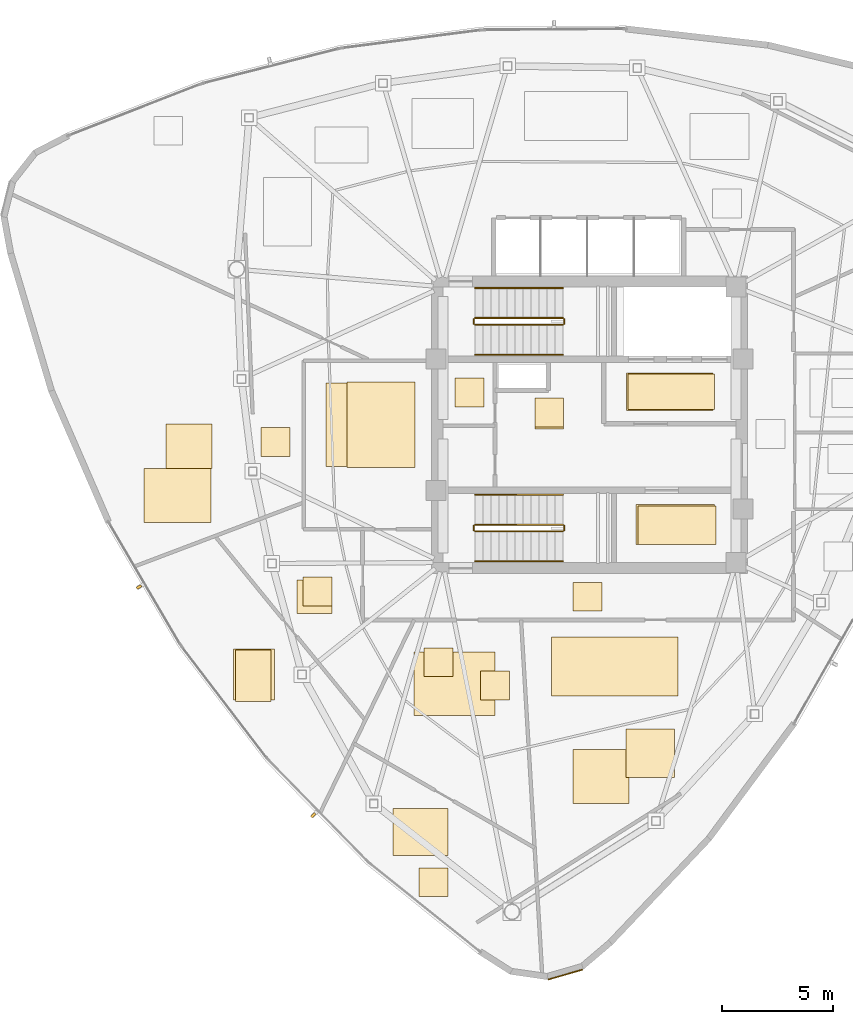
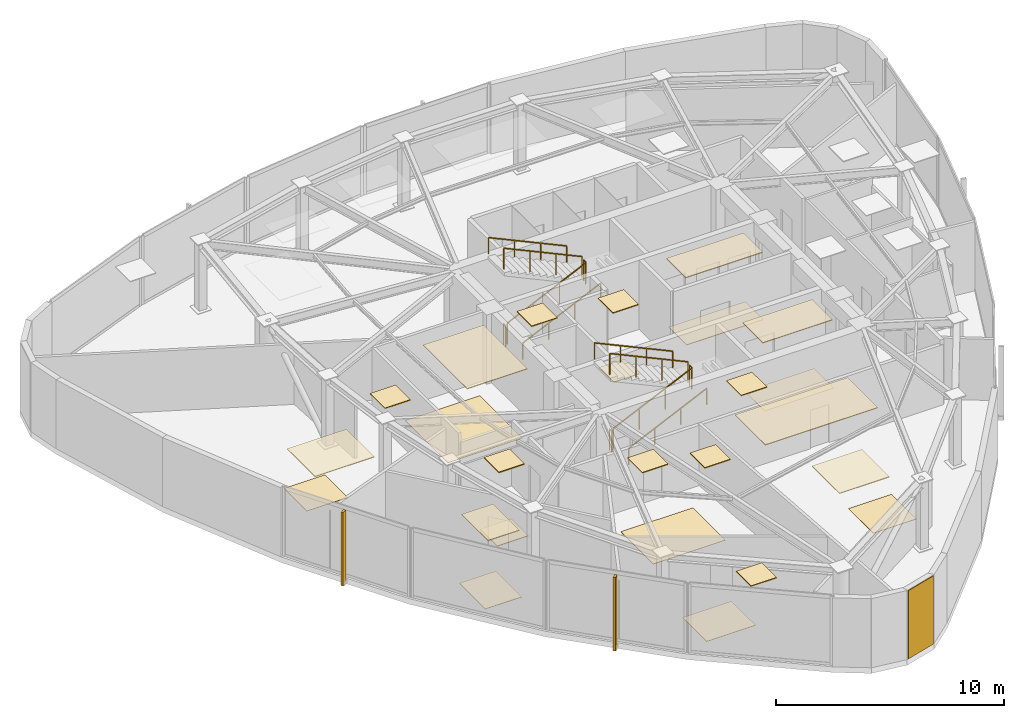
# One storey, part 10 of 11: 26 coverings, 12 railings, 2 shading devices.
"""IFC4 building model written with IfcOpenShell, lengths in metres."""

from ifc_helpers import new_model, si_unit, direction, frame, origin, origin_2d, place, context, subcontext, project, spatial, polyline, rectangle, outline, extrude, source, transform, mapped, material, layer, layer_set, type_object, type_shapes, element, save


model = new_model("IFC4")

# Units and contexts
model_context = context("Model", 3, precision=1e-05, world=origin(), true_north=direction((0.0, 1.0)))
body_context = subcontext(model_context, "Body", "Model", "MODEL_VIEW")
ifc_project = project(units=[si_unit("LENGTHUNIT", "METRE"), si_unit("AREAUNIT", "SQUARE_METRE"), si_unit("VOLUMEUNIT", "CUBIC_METRE"), si_unit("PLANEANGLEUNIT", "RADIAN"), si_unit("MASSUNIT", "GRAM", prefix="KILO")], contexts=[model_context])

# Site, building, storey
site_placement = place(None, origin())
site = spatial("IfcSite", under=ifc_project, at=site_placement, CompositionType="ELEMENT")
building_placement = place(site_placement, origin())
building = spatial("IfcBuilding", under=site, at=building_placement, Name="Tavelor Broadcast Tower", CompositionType="ELEMENT")
storey_placement = place(building_placement, frame((0.0, 0.0, 313.5)))
storey = spatial("IfcBuildingStorey", under=building, at=storey_placement, Name="L75", CompositionType="ELEMENT", Elevation=313.5)

# Coverings
ifc_material_1 = material(Name="Copper-Bronze Anodized Aluminium", Category="aluminium")
ifc_layer_1 = layer(ifc_material_1, 0.044921875)
ifc_layer_set_1 = layer_set([ifc_layer_1], Name="Copper-Bronze Anodized Aluminium")
covering_type_1 = type_object("IfcCoveringType", Name="Anodised Bronze Linear Slatted Concourse Ceiling 45 mm", PredefinedType="CEILING", material=ifc_layer_set_1)
covering_1_placement = place(storey_placement, frame((0.0, 0.0, 3.655029296875)))
element("IfcCovering", 1, at=covering_1_placement, inside=storey, type_object=covering_type_1, Name="L75 Suspended Acoustic Ceiling 2823", PredefinedType="CEILING", context=body_context, shape_type="SweptSolid", body=[
    extrude(outline(polyline([(51.659912109375, 45.6318359375), (55.55712890625, 45.6318359375), (55.55712890625, 47.328125), (51.659912109375, 47.328125), (51.659912109375, 45.6318359375)])), origin(), (0.0, 0.0, 1.0), 0.044921875),
])
covering_2_placement = place(storey_placement, frame((0.0, 0.0, 3.655029296875)))
element("IfcCovering", 2, at=covering_2_placement, inside=storey, type_object=covering_type_1, Name="L75 Suspended Acoustic Ceiling 2825", PredefinedType="CEILING", context=body_context, shape_type="SweptSolid", body=[
    extrude(outline(polyline([(47.5400390625, 44.89794921875), (48.840087890625, 44.89794921875), (48.840087890625, 46.197998046875), (47.5400390625, 46.197998046875), (47.5400390625, 44.89794921875)])), origin(), (0.0, 0.0, 1.0), 0.044921875),
])
ifc_layer_2 = layer(ifc_material_1, 0.050048828125)
ifc_layer_set_2 = layer_set([ifc_layer_2], Name="Copper-Bronze Anodized Aluminium")
covering_type_2 = type_object("IfcCoveringType", Name="Champagne-Bronze Corner Pier Metal Cladding 50 mm", PredefinedType="CLADDING", material=ifc_layer_set_2)
covering_3_placement = place(storey_placement, frame((48.918212890625, 20.26708984375, 0.02001953125), z_axis=(0.0, 0.0, 1.0), x_axis=(0.961020790978, 0.276476109834, 0.0)))
element("IfcCovering", 3, at=covering_3_placement, inside=storey, type_object=covering_type_2, Name="L75 Champagne-Bronze Corner Cladding 13", PredefinedType="CLADDING", context=body_context, shape_type="SweptSolid", body=[
    extrude(rectangle(XDim=1.59814453125, YDim=0.050048828125, at=origin_2d()), origin(), (0.0, 0.0, 1.0), 3.659912109375),
])

# Railings
ifc_material_2 = material(Name="Steel S355", Category="steel")
railing_type_1 = type_object("IfcRailingType", Name="Continuous Brushed Stainless Handrail 900 mm", PredefinedType="HANDRAIL", material=ifc_material_2)
railing_1_placement = place(storey_placement, frame((44.85009765625, 48.14990234375, 0.166748046875)))
element("IfcRailing", 4, at=railing_1_placement, inside=storey, type_object=railing_type_1, Name="L75 ST1 stair handrail 1", PredefinedType="HANDRAIL", context=body_context, shape_type="SweptSolid", body=[
    extrude(rectangle(XDim=0.048095703125, YDim=0.048095703125, at=origin_2d()), frame((0.0, 0.0, 0.8759765625), z_axis=(0.907472437036, 0.0, 0.420111623286), x_axis=(0.0, 1.0, 0.0)), (0.0, 0.0, 1.0), 4.36376953125),
    extrude(rectangle(XDim=0.0419921875, YDim=0.0419921875, at=origin_2d()), origin(), (0.0, 0.0, 1.0), 0.851806640625),
    extrude(rectangle(XDim=0.0419921875, YDim=0.0419921875, at=origin_2d()), frame((1.320068359375, 0.0, 0.611083984375)), (0.0, 0.0, 1.0), 0.851806640625),
    extrude(rectangle(XDim=0.0419921875, YDim=0.0419921875, at=origin_2d()), frame((2.639892578125, 0.0, 1.22216796875)), (0.0, 0.0, 1.0), 0.851806640625),
    extrude(rectangle(XDim=0.0419921875, YDim=0.0419921875, at=origin_2d()), frame((3.9599609375, 0.0, 1.833251953125)), (0.0, 0.0, 1.0), 0.851806640625),
])
railing_2_placement = place(storey_placement, frame((48.81005859375, 51.14990234375, 2.166748046875)))
element("IfcRailing", 5, at=railing_2_placement, inside=storey, type_object=railing_type_1, Name="L75 ST1 stair handrail 2", PredefinedType="HANDRAIL", context=body_context, shape_type="SweptSolid", body=[
    extrude(rectangle(XDim=0.048095703125, YDim=0.048095703125, at=origin_2d()), frame((0.0, 0.0, 0.8759765625), z_axis=(-0.907472437036, 0.0, 0.420111623286), x_axis=(0.0, -1.0, 0.0)), (0.0, 0.0, 1.0), 4.36376953125),
    extrude(rectangle(XDim=0.0419921875, YDim=0.0419921875, at=origin_2d()), origin(), (0.0, 0.0, 1.0), 0.851806640625),
    extrude(rectangle(XDim=0.0419921875, YDim=0.0419921875, at=origin_2d()), frame((-1.320068359375, 0.0, 0.611083984375)), (0.0, 0.0, 1.0), 0.851806640625),
    extrude(rectangle(XDim=0.0419921875, YDim=0.0419921875, at=origin_2d()), frame((-2.639892578125, 0.0, 1.22216796875)), (0.0, 0.0, 1.0), 0.851806640625),
    extrude(rectangle(XDim=0.0419921875, YDim=0.0419921875, at=origin_2d()), frame((-3.9599609375, 0.0, 1.833251953125)), (0.0, 0.0, 1.0), 0.851806640625),
])
railing_3_placement = place(storey_placement, frame((44.85009765625, 38.85009765625, 0.166748046875)))
element("IfcRailing", 6, at=railing_3_placement, inside=storey, type_object=railing_type_1, Name="L75 ST2 stair handrail 1", PredefinedType="HANDRAIL", context=body_context, shape_type="SweptSolid", body=[
    extrude(rectangle(XDim=0.048095703125, YDim=0.048095703125, at=origin_2d()), frame((0.0, 0.0, 0.8759765625), z_axis=(0.907472437036, 0.0, 0.420111623286), x_axis=(0.0, 1.0, 0.0)), (0.0, 0.0, 1.0), 4.36376953125),
    extrude(rectangle(XDim=0.0419921875, YDim=0.0419921875, at=origin_2d()), origin(), (0.0, 0.0, 1.0), 0.851806640625),
    extrude(rectangle(XDim=0.0419921875, YDim=0.0419921875, at=origin_2d()), frame((1.320068359375, 0.0, 0.611083984375)), (0.0, 0.0, 1.0), 0.851806640625),
    extrude(rectangle(XDim=0.0419921875, YDim=0.0419921875, at=origin_2d()), frame((2.639892578125, 0.0, 1.22216796875)), (0.0, 0.0, 1.0), 0.851806640625),
    extrude(rectangle(XDim=0.0419921875, YDim=0.0419921875, at=origin_2d()), frame((3.9599609375, 0.0, 1.833251953125)), (0.0, 0.0, 1.0), 0.851806640625),
])
railing_4_placement = place(storey_placement, frame((48.81005859375, 41.85009765625, 2.166748046875)))
element("IfcRailing", 7, at=railing_4_placement, inside=storey, type_object=railing_type_1, Name="L75 ST2 stair handrail 2", PredefinedType="HANDRAIL", context=body_context, shape_type="SweptSolid", body=[
    extrude(rectangle(XDim=0.048095703125, YDim=0.048095703125, at=origin_2d()), frame((0.0, 0.0, 0.8759765625), z_axis=(-0.907472437036, 0.0, 0.420111623286), x_axis=(0.0, -1.0, 0.0)), (0.0, 0.0, 1.0), 4.36376953125),
    extrude(rectangle(XDim=0.0419921875, YDim=0.0419921875, at=origin_2d()), origin(), (0.0, 0.0, 1.0), 0.851806640625),
    extrude(rectangle(XDim=0.0419921875, YDim=0.0419921875, at=origin_2d()), frame((-1.320068359375, 0.0, 0.611083984375)), (0.0, 0.0, 1.0), 0.851806640625),
    extrude(rectangle(XDim=0.0419921875, YDim=0.0419921875, at=origin_2d()), frame((-2.639892578125, 0.0, 1.22216796875)), (0.0, 0.0, 1.0), 0.851806640625),
    extrude(rectangle(XDim=0.0419921875, YDim=0.0419921875, at=origin_2d()), frame((-3.9599609375, 0.0, 1.833251953125)), (0.0, 0.0, 1.0), 0.851806640625),
])

# Coverings
ifc_material_3 = material(Name="Architectural Anodized Aluminium", Category="aluminium")
ifc_layer_3 = layer(ifc_material_3, 0.034912109375)
ifc_layer_set_3 = layer_set([ifc_layer_3], Name="Architectural Anodized Aluminium")
covering_type_3 = type_object("IfcCoveringType", Name="Demountable Metal Tile Corridor Ceiling 35 mm", PredefinedType="CEILING", material=ifc_layer_set_3)
covering_4_placement = place(storey_placement, frame((0.0, 0.0, 3.6650390625)))
element("IfcCovering", 8, at=covering_4_placement, inside=storey, type_object=covering_type_3, Name="L75 Suspended Acoustic Ceiling 2828", PredefinedType="CEILING", context=body_context, shape_type="SweptSolid", body=[
    extrude(outline(polyline([(49.261474609375, 36.610107421875), (50.5615234375, 36.610107421875), (50.5615234375, 37.909912109375), (49.261474609375, 37.909912109375), (49.261474609375, 36.610107421875)])), origin(), (0.0, 0.0, 1.0), 0.034912109375),
])
ifc_material_4 = material(Name="Acoustic Nylon Carpet Tile")
ifc_layer_4 = layer(ifc_material_4, 0.02001953125)
ifc_layer_set_4 = layer_set([ifc_layer_4], Name="Acoustic Nylon Carpet Tile")
covering_type_4 = type_object("IfcCoveringType", Name="Heavy-Duty Acoustic Broadcast Carpet Tile 20 mm", PredefinedType="FLOORING", material=ifc_layer_set_4)
covering_5_placement = place(storey_placement, origin())
element("IfcCovering", 9, at=covering_5_placement, inside=storey, type_object=covering_type_4, Name="L75 Broadcast Floor Finish 1112", PredefinedType="FLOORING", context=body_context, shape_type="SweptSolid", body=[
    extrude(outline(polyline([(52.176025390625, 39.611328125), (55.694091796875, 39.611328125), (55.694091796875, 41.341552734375), (52.176025390625, 41.341552734375), (52.176025390625, 39.611328125)])), origin(), (0.0, 0.0, 1.0), 0.02001953125),
])
covering_6_placement = place(storey_placement, origin())
element("IfcCovering", 10, at=covering_6_placement, inside=storey, type_object=covering_type_4, Name="L75 Broadcast Floor Finish 1115", PredefinedType="FLOORING", context=body_context, shape_type="SweptSolid", body=[
    extrude(outline(polyline([(38.15771484375, 43.12890625), (41.942138671875, 43.12890625), (41.942138671875, 46.87060546875), (38.15771484375, 46.87060546875), (38.15771484375, 43.12890625)])), origin(), (0.0, 0.0, 1.0), 0.02001953125),
])
covering_7_placement = place(storey_placement, origin())
element("IfcCovering", 11, at=covering_7_placement, inside=storey, type_object=covering_type_4, Name="L75 Broadcast Floor Finish 1119", PredefinedType="FLOORING", context=body_context, shape_type="SweptSolid", body=[
    extrude(outline(polyline([(51.633056640625, 29.121826171875), (53.819580078125, 29.121826171875), (53.819580078125, 31.30322265625), (51.633056640625, 31.30322265625), (51.633056640625, 29.121826171875)])), origin(), (0.0, 0.0, 1.0), 0.02001953125),
])
covering_8_placement = place(storey_placement, origin())
element("IfcCovering", 12, at=covering_8_placement, inside=storey, type_object=covering_type_4, Name="L75 Broadcast Floor Finish 1120", PredefinedType="FLOORING", context=body_context, shape_type="SweptSolid", body=[
    extrude(outline(polyline([(41.15673828125, 25.611328125), (43.64599609375, 25.611328125), (43.64599609375, 27.73681640625), (41.15673828125, 27.73681640625), (41.15673828125, 25.611328125)])), origin(), (0.0, 0.0, 1.0), 0.02001953125),
])
covering_9_placement = place(storey_placement, origin())
element("IfcCovering", 13, at=covering_9_placement, inside=storey, type_object=covering_type_4, Name="L75 Broadcast Floor Finish 1121", PredefinedType="FLOORING", context=body_context, shape_type="SweptSolid", body=[
    extrude(outline(polyline([(33.986328125, 32.618408203125), (35.837890625, 32.618408203125), (35.837890625, 34.900634765625), (33.986328125, 34.900634765625), (33.986328125, 32.618408203125)])), origin(), (0.0, 0.0, 1.0), 0.02001953125),
])
covering_10_placement = place(storey_placement, origin())
element("IfcCovering", 14, at=covering_10_placement, inside=storey, type_object=covering_type_4, Name="L75 Broadcast Floor Finish 1122", PredefinedType="FLOORING", context=body_context, shape_type="SweptSolid", body=[
    extrude(outline(polyline([(30.9501953125, 43.020263671875), (33.0234375, 43.020263671875), (33.0234375, 45.0283203125), (30.9501953125, 45.0283203125), (30.9501953125, 43.020263671875)])), origin(), (0.0, 0.0, 1.0), 0.02001953125),
])
covering_11_placement = place(storey_placement, origin())
element("IfcCovering", 15, at=covering_11_placement, inside=storey, type_object=covering_type_4, Name="L75 Broadcast Floor Finish 1124", PredefinedType="FLOORING", context=body_context, shape_type="SweptSolid", body=[
    extrude(outline(polyline([(42.09521484375, 31.910888671875), (45.747314453125, 31.910888671875), (45.747314453125, 34.77001953125), (42.09521484375, 34.77001953125), (42.09521484375, 31.910888671875)])), origin(), (0.0, 0.0, 1.0), 0.02001953125),
])
ifc_material_5 = material(Name="Honed Natural Limestone Tile", Category="masonry")
ifc_layer_5 = layer(ifc_material_5, 0.030029296875)
ifc_layer_set_5 = layer_set([ifc_layer_5], Name="Honed Natural Limestone Tile")
covering_type_5 = type_object("IfcCoveringType", Name="Honed Jerusalem Limestone Concourse Flooring 30 mm", PredefinedType="FLOORING", material=ifc_layer_set_5)
covering_12_placement = place(storey_placement, origin())
element("IfcCovering", 16, at=covering_12_placement, inside=storey, type_object=covering_type_5, Name="L75 Broadcast Floor Finish 1111", PredefinedType="FLOORING", context=body_context, shape_type="SweptSolid", body=[
    extrude(outline(polyline([(51.7373046875, 45.689453125), (55.62255859375, 45.689453125), (55.62255859375, 47.2705078125), (51.7373046875, 47.2705078125), (51.7373046875, 45.689453125)])), origin(), (0.0, 0.0, 1.0), 0.030029296875),
])
covering_13_placement = place(storey_placement, origin())
element("IfcCovering", 17, at=covering_13_placement, inside=storey, type_object=covering_type_5, Name="L75 Broadcast Floor Finish 1113", PredefinedType="FLOORING", context=body_context, shape_type="SweptSolid", body=[
    extrude(outline(polyline([(47.5400390625, 44.818115234375), (48.840087890625, 44.818115234375), (48.840087890625, 46.117919921875), (47.5400390625, 46.117919921875), (47.5400390625, 44.818115234375)])), origin(), (0.0, 0.0, 1.0), 0.030029296875),
])
ifc_material_6 = material(Name="Acoustic Hardwood Studio Flooring", Category="wood")
ifc_layer_6 = layer(ifc_material_6, 0.034912109375)
ifc_layer_set_6 = layer_set([ifc_layer_6], Name="Acoustic Hardwood Studio Flooring")
covering_type_6 = type_object("IfcCoveringType", Name="Isolated Studio Acoustic Elastomeric Floor Finish 35 mm", PredefinedType="FLOORING", material=ifc_layer_set_6)
covering_14_placement = place(storey_placement, origin())
element("IfcCovering", 18, at=covering_14_placement, inside=storey, type_object=covering_type_6, Name="L75 Broadcast Floor Finish 1123", PredefinedType="FLOORING", context=body_context, shape_type="SweptSolid", body=[
    extrude(outline(polyline([(36.83935546875, 36.51318359375), (38.42041015625, 36.51318359375), (38.42041015625, 38.016845703125), (36.83935546875, 38.016845703125), (36.83935546875, 36.51318359375)])), origin(), (0.0, 0.0, 1.0), 0.034912109375),
])
ifc_material_7 = material(Name="Acoustic Perforated Timber Baffle", Category="wood")
ifc_layer_7 = layer(ifc_material_7, 0.054931640625)
ifc_layer_set_7 = layer_set([ifc_layer_7], Name="Acoustic Perforated Timber Baffle")
covering_type_7 = type_object("IfcCoveringType", Name="Micro-Perforated Acoustic Baffle Studio Ceiling 55 mm", PredefinedType="CEILING", material=ifc_layer_set_7)
covering_15_placement = place(storey_placement, frame((0.0, 0.0, 3.64501953125)))
element("IfcCovering", 19, at=covering_15_placement, inside=storey, type_object=covering_type_7, Name="L75 Suspended Acoustic Ceiling 2847", PredefinedType="CEILING", context=body_context, shape_type="SweptSolid", body=[
    extrude(outline(polyline([(37.113525390625, 36.840087890625), (38.41357421875, 36.840087890625), (38.41357421875, 38.14013671875), (37.113525390625, 38.14013671875), (37.113525390625, 36.840087890625)])), origin(), (0.0, 0.0, 1.0), 0.054931640625),
])

# Railings
railing_type_2 = type_object("IfcRailingType", Name="Stairwell Steel Safety Guardrail 1150 mm", PredefinedType="GUARDRAIL", material=ifc_material_2)
railing_5_placement = place(storey_placement, frame((44.85009765625, 49.5, 0.166748046875)))
element("IfcRailing", 20, at=railing_5_placement, inside=storey, type_object=railing_type_2, Name="L75 ST1 stair guard 1", PredefinedType="GUARDRAIL", context=body_context, shape_type="SweptSolid", body=[
    extrude(rectangle(XDim=0.048095703125, YDim=0.048095703125, at=origin_2d()), frame((0.0, 0.0, 1.1259765625), z_axis=(0.907472437036, 0.0, 0.420111623286), x_axis=(0.0, 1.0, 0.0)), (0.0, 0.0, 1.0), 4.36376953125),
    extrude(rectangle(XDim=0.0419921875, YDim=0.0419921875, at=origin_2d()), origin(), (0.0, 0.0, 1.0), 1.101806640625),
    extrude(rectangle(XDim=0.0419921875, YDim=0.0419921875, at=origin_2d()), frame((1.320068359375, 0.0, 0.611083984375)), (0.0, 0.0, 1.0), 1.101806640625),
    extrude(rectangle(XDim=0.0419921875, YDim=0.0419921875, at=origin_2d()), frame((2.639892578125, 0.0, 1.22216796875)), (0.0, 0.0, 1.0), 1.101806640625),
    extrude(rectangle(XDim=0.0419921875, YDim=0.0419921875, at=origin_2d()), frame((3.9599609375, 0.0, 1.833251953125)), (0.0, 0.0, 1.0), 1.101806640625),
])
railing_6_placement = place(storey_placement, frame((48.860107421875, 49.550048828125, 2.0)))
element("IfcRailing", 21, at=railing_6_placement, inside=storey, type_object=railing_type_2, Name="L75 ST1 stair guard 2", PredefinedType="GUARDRAIL", context=body_context, shape_type="SweptSolid", body=[
    extrude(rectangle(XDim=0.048095703125, YDim=0.048095703125, at=origin_2d()), frame((0.0, 0.0, 1.1259765625), z_axis=(0.0, 1.0, 0.0), x_axis=(-1.0, 0.0, 0.0)), (0.0, 0.0, 1.0), 0.199951171875),
    extrude(rectangle(XDim=0.0419921875, YDim=0.0419921875, at=origin_2d()), origin(), (0.0, 0.0, 1.0), 1.101806640625),
    extrude(rectangle(XDim=0.0419921875, YDim=0.0419921875, at=origin_2d()), frame((0.0, 0.199951171875, 0.0)), (0.0, 0.0, 1.0), 1.101806640625),
])
railing_7_placement = place(storey_placement, frame((48.81005859375, 49.800048828125, 2.166748046875)))
element("IfcRailing", 22, at=railing_7_placement, inside=storey, type_object=railing_type_2, Name="L75 ST1 stair guard 3", PredefinedType="GUARDRAIL", context=body_context, shape_type="SweptSolid", body=[
    extrude(rectangle(XDim=0.048095703125, YDim=0.048095703125, at=origin_2d()), frame((0.0, 0.0, 1.1259765625), z_axis=(-0.907472437036, 0.0, 0.420111623286), x_axis=(0.0, -1.0, 0.0)), (0.0, 0.0, 1.0), 4.36376953125),
    extrude(rectangle(XDim=0.0419921875, YDim=0.0419921875, at=origin_2d()), origin(), (0.0, 0.0, 1.0), 1.101806640625),
    extrude(rectangle(XDim=0.0419921875, YDim=0.0419921875, at=origin_2d()), frame((-1.320068359375, 0.0, 0.611083984375)), (0.0, 0.0, 1.0), 1.101806640625),
    extrude(rectangle(XDim=0.0419921875, YDim=0.0419921875, at=origin_2d()), frame((-2.639892578125, 0.0, 1.22216796875)), (0.0, 0.0, 1.0), 1.101806640625),
    extrude(rectangle(XDim=0.0419921875, YDim=0.0419921875, at=origin_2d()), frame((-3.9599609375, 0.0, 1.833251953125)), (0.0, 0.0, 1.0), 1.101806640625),
])
railing_8_placement = place(storey_placement, frame((44.800048828125, 49.550048828125, 0.0)))
element("IfcRailing", 23, at=railing_8_placement, inside=storey, type_object=railing_type_2, Name="L75 ST1 stair guard 4", PredefinedType="GUARDRAIL", context=body_context, shape_type="SweptSolid", body=[
    extrude(rectangle(XDim=0.048095703125, YDim=0.048095703125, at=origin_2d()), frame((0.0, 0.0, 1.1259765625), z_axis=(0.0, 1.0, 0.0), x_axis=(-1.0, 0.0, 0.0)), (0.0, 0.0, 1.0), 0.199951171875),
    extrude(rectangle(XDim=0.0419921875, YDim=0.0419921875, at=origin_2d()), origin(), (0.0, 0.0, 1.0), 1.101806640625),
    extrude(rectangle(XDim=0.0419921875, YDim=0.0419921875, at=origin_2d()), frame((0.0, 0.199951171875, 0.0)), (0.0, 0.0, 1.0), 1.101806640625),
])
railing_9_placement = place(storey_placement, frame((44.85009765625, 40.199951171875, 0.166748046875)))
element("IfcRailing", 24, at=railing_9_placement, inside=storey, type_object=railing_type_2, Name="L75 ST2 stair guard 1", PredefinedType="GUARDRAIL", context=body_context, shape_type="SweptSolid", body=[
    extrude(rectangle(XDim=0.048095703125, YDim=0.048095703125, at=origin_2d()), frame((0.0, 0.0, 1.1259765625), z_axis=(0.907472437036, 0.0, 0.420111623286), x_axis=(0.0, 1.0, 0.0)), (0.0, 0.0, 1.0), 4.36376953125),
    extrude(rectangle(XDim=0.0419921875, YDim=0.0419921875, at=origin_2d()), origin(), (0.0, 0.0, 1.0), 1.101806640625),
    extrude(rectangle(XDim=0.0419921875, YDim=0.0419921875, at=origin_2d()), frame((1.320068359375, 0.0, 0.611083984375)), (0.0, 0.0, 1.0), 1.101806640625),
    extrude(rectangle(XDim=0.0419921875, YDim=0.0419921875, at=origin_2d()), frame((2.639892578125, 0.0, 1.22216796875)), (0.0, 0.0, 1.0), 1.101806640625),
    extrude(rectangle(XDim=0.0419921875, YDim=0.0419921875, at=origin_2d()), frame((3.9599609375, 0.0, 1.833251953125)), (0.0, 0.0, 1.0), 1.101806640625),
])
railing_10_placement = place(storey_placement, frame((48.860107421875, 40.25, 2.0)))
element("IfcRailing", 25, at=railing_10_placement, inside=storey, type_object=railing_type_2, Name="L75 ST2 stair guard 2", PredefinedType="GUARDRAIL", context=body_context, shape_type="SweptSolid", body=[
    extrude(rectangle(XDim=0.048095703125, YDim=0.048095703125, at=origin_2d()), frame((0.0, 0.0, 1.1259765625), z_axis=(0.0, 1.0, 0.0), x_axis=(-1.0, 0.0, 0.0)), (0.0, 0.0, 1.0), 0.199951171875),
    extrude(rectangle(XDim=0.0419921875, YDim=0.0419921875, at=origin_2d()), origin(), (0.0, 0.0, 1.0), 1.101806640625),
    extrude(rectangle(XDim=0.0419921875, YDim=0.0419921875, at=origin_2d()), frame((0.0, 0.199951171875, 0.0)), (0.0, 0.0, 1.0), 1.101806640625),
])
railing_11_placement = place(storey_placement, frame((48.81005859375, 40.5, 2.166748046875)))
element("IfcRailing", 26, at=railing_11_placement, inside=storey, type_object=railing_type_2, Name="L75 ST2 stair guard 3", PredefinedType="GUARDRAIL", context=body_context, shape_type="SweptSolid", body=[
    extrude(rectangle(XDim=0.048095703125, YDim=0.048095703125, at=origin_2d()), frame((0.0, 0.0, 1.1259765625), z_axis=(-0.907472437036, 0.0, 0.420111623286), x_axis=(0.0, -1.0, 0.0)), (0.0, 0.0, 1.0), 4.36376953125),
    extrude(rectangle(XDim=0.0419921875, YDim=0.0419921875, at=origin_2d()), origin(), (0.0, 0.0, 1.0), 1.101806640625),
    extrude(rectangle(XDim=0.0419921875, YDim=0.0419921875, at=origin_2d()), frame((-1.320068359375, 0.0, 0.611083984375)), (0.0, 0.0, 1.0), 1.101806640625),
    extrude(rectangle(XDim=0.0419921875, YDim=0.0419921875, at=origin_2d()), frame((-2.639892578125, 0.0, 1.22216796875)), (0.0, 0.0, 1.0), 1.101806640625),
    extrude(rectangle(XDim=0.0419921875, YDim=0.0419921875, at=origin_2d()), frame((-3.9599609375, 0.0, 1.833251953125)), (0.0, 0.0, 1.0), 1.101806640625),
])
railing_12_placement = place(storey_placement, frame((44.800048828125, 40.25, 0.0)))
element("IfcRailing", 27, at=railing_12_placement, inside=storey, type_object=railing_type_2, Name="L75 ST2 stair guard 4", PredefinedType="GUARDRAIL", context=body_context, shape_type="SweptSolid", body=[
    extrude(rectangle(XDim=0.048095703125, YDim=0.048095703125, at=origin_2d()), frame((0.0, 0.0, 1.1259765625), z_axis=(0.0, 1.0, 0.0), x_axis=(-1.0, 0.0, 0.0)), (0.0, 0.0, 1.0), 0.199951171875),
    extrude(rectangle(XDim=0.0419921875, YDim=0.0419921875, at=origin_2d()), origin(), (0.0, 0.0, 1.0), 1.101806640625),
    extrude(rectangle(XDim=0.0419921875, YDim=0.0419921875, at=origin_2d()), frame((0.0, 0.199951171875, 0.0)), (0.0, 0.0, 1.0), 1.101806640625),
])

# Coverings
ifc_material_8 = material(Name="Acoustic Mineral Fibre Tile")
ifc_layer_8 = layer(ifc_material_8, 0.0400390625)
ifc_layer_set_8 = layer_set([ifc_layer_8], Name="Acoustic Mineral Fibre Tile")
covering_type_8 = type_object("IfcCoveringType", Name="Suspended Acoustic Mineral-Fibre Office Ceiling 40 mm", PredefinedType="CEILING", material=ifc_layer_set_8)
covering_16_placement = place(storey_placement, frame((0.0, 0.0, 3.659912109375)))
element("IfcCovering", 28, at=covering_16_placement, inside=storey, type_object=covering_type_8, Name="L75 Suspended Acoustic Ceiling 2824", PredefinedType="CEILING", context=body_context, shape_type="SweptSolid", body=[
    extrude(outline(polyline([(52.098388671875, 39.62255859375), (55.628662109375, 39.62255859375), (55.628662109375, 41.410400390625), (52.098388671875, 41.410400390625), (52.098388671875, 39.62255859375)])), origin(), (0.0, 0.0, 1.0), 0.0400390625),
])
covering_17_placement = place(storey_placement, frame((0.0, 0.0, 3.659912109375)))
element("IfcCovering", 29, at=covering_17_placement, inside=storey, type_object=covering_type_8, Name="L75 Suspended Acoustic Ceiling 2826", PredefinedType="CEILING", context=body_context, shape_type="SweptSolid", body=[
    extrude(outline(polyline([(43.951416015625, 45.794921875), (45.25146484375, 45.794921875), (45.25146484375, 47.094970703125), (43.951416015625, 47.094970703125), (43.951416015625, 45.794921875)])), origin(), (0.0, 0.0, 1.0), 0.0400390625),
])
covering_18_placement = place(storey_placement, frame((0.0, 0.0, 3.659912109375)))
element("IfcCovering", 30, at=covering_18_placement, inside=storey, type_object=covering_type_8, Name="L75 Suspended Acoustic Ceiling 2829", PredefinedType="CEILING", context=body_context, shape_type="SweptSolid", body=[
    extrude(outline(polyline([(39.10107421875, 43.0712890625), (42.16259765625, 43.0712890625), (42.16259765625, 46.927978515625), (39.10107421875, 46.927978515625), (39.10107421875, 43.0712890625)])), origin(), (0.0, 0.0, 1.0), 0.0400390625),
])
covering_19_placement = place(storey_placement, frame((0.0, 0.0, 3.659912109375)))
element("IfcCovering", 31, at=covering_19_placement, inside=storey, type_object=covering_type_8, Name="L75 Suspended Acoustic Ceiling 2834", PredefinedType="CEILING", context=body_context, shape_type="SweptSolid", body=[
    extrude(outline(polyline([(49.25048828125, 27.966796875), (51.77978515625, 27.966796875), (51.77978515625, 30.3818359375), (49.25048828125, 30.3818359375), (49.25048828125, 27.966796875)])), origin(), (0.0, 0.0, 1.0), 0.0400390625),
])
covering_20_placement = place(storey_placement, frame((0.0, 0.0, 3.659912109375)))
element("IfcCovering", 32, at=covering_20_placement, inside=storey, type_object=covering_type_8, Name="L75 Suspended Acoustic Ceiling 2835", PredefinedType="CEILING", context=body_context, shape_type="SweptSolid", body=[
    extrude(outline(polyline([(48.2841796875, 32.8076171875), (53.989501953125, 32.8076171875), (53.989501953125, 35.457763671875), (48.2841796875, 35.457763671875), (48.2841796875, 32.8076171875)])), origin(), (0.0, 0.0, 1.0), 0.0400390625),
])
covering_21_placement = place(storey_placement, frame((0.0, 0.0, 3.659912109375)))
element("IfcCovering", 33, at=covering_21_placement, inside=storey, type_object=covering_type_8, Name="L75 Suspended Acoustic Ceiling 2836", PredefinedType="CEILING", context=body_context, shape_type="SweptSolid", body=[
    extrude(outline(polyline([(42.342041015625, 23.76806640625), (43.64208984375, 23.76806640625), (43.64208984375, 25.068115234375), (42.342041015625, 25.068115234375), (42.342041015625, 23.76806640625)])), origin(), (0.0, 0.0, 1.0), 0.0400390625),
])
covering_22_placement = place(storey_placement, frame((0.0, 0.0, 3.659912109375)))
element("IfcCovering", 34, at=covering_22_placement, inside=storey, type_object=covering_type_8, Name="L75 Suspended Acoustic Ceiling 2837", PredefinedType="CEILING", context=body_context, shape_type="SweptSolid", body=[
    extrude(outline(polyline([(34.085205078125, 32.548828125), (35.6787109375, 32.548828125), (35.6787109375, 34.86474609375), (34.085205078125, 34.86474609375), (34.085205078125, 32.548828125)])), origin(), (0.0, 0.0, 1.0), 0.0400390625),
])
covering_23_placement = place(storey_placement, frame((0.0, 0.0, 3.659912109375)))
element("IfcCovering", 35, at=covering_23_placement, inside=storey, type_object=covering_type_8, Name="L75 Suspended Acoustic Ceiling 2838", PredefinedType="CEILING", context=body_context, shape_type="SweptSolid", body=[
    extrude(outline(polyline([(35.231201171875, 43.5810546875), (36.53125, 43.5810546875), (36.53125, 44.881103515625), (35.231201171875, 44.881103515625), (35.231201171875, 43.5810546875)])), origin(), (0.0, 0.0, 1.0), 0.0400390625),
])
covering_24_placement = place(storey_placement, frame((0.0, 0.0, 3.659912109375)))
element("IfcCovering", 36, at=covering_24_placement, inside=storey, type_object=covering_type_8, Name="L75 Suspended Acoustic Ceiling 2839", PredefinedType="CEILING", context=body_context, shape_type="SweptSolid", body=[
    extrude(outline(polyline([(29.962646484375, 40.59326171875), (32.96826171875, 40.59326171875), (32.96826171875, 43.0380859375), (29.962646484375, 43.0380859375), (29.962646484375, 40.59326171875)])), origin(), (0.0, 0.0, 1.0), 0.0400390625),
])
covering_25_placement = place(storey_placement, frame((0.0, 0.0, 3.659912109375)))
element("IfcCovering", 37, at=covering_25_placement, inside=storey, type_object=covering_type_8, Name="L75 Suspended Acoustic Ceiling 2848", PredefinedType="CEILING", context=body_context, shape_type="SweptSolid", body=[
    extrude(outline(polyline([(42.554443359375, 33.66650390625), (43.8544921875, 33.66650390625), (43.8544921875, 34.966552734375), (42.554443359375, 34.966552734375), (42.554443359375, 33.66650390625)])), origin(), (0.0, 0.0, 1.0), 0.0400390625),
])
covering_26_placement = place(storey_placement, frame((0.0, 0.0, 3.659912109375)))
element("IfcCovering", 38, at=covering_26_placement, inside=storey, type_object=covering_type_8, Name="L75 Suspended Acoustic Ceiling 2849", PredefinedType="CEILING", context=body_context, shape_type="SweptSolid", body=[
    extrude(outline(polyline([(45.1083984375, 32.614501953125), (46.408447265625, 32.614501953125), (46.408447265625, 33.91455078125), (45.1083984375, 33.91455078125), (45.1083984375, 32.614501953125)])), origin(), (0.0, 0.0, 1.0), 0.0400390625),
])

# Shading devices
ifc_material_9 = material(Name="Kiln-Fired Glazed Terracotta", Category="masonry")
shading_device_type = type_object("IfcShadingDeviceType", Name="Extruded Terracotta Baguette Sun-Screen 110x240", PredefinedType="JALOUSIE", material=ifc_material_9)
shared_shape = source(origin(), body_context, "Body", "SweptSolid", [
    extrude(rectangle(XDim=0.110107421875, YDim=0.239990234375, at=origin_2d()), origin(), (0.0, 0.0, 1.0), 3.93994140625),
])
type_shapes(shading_device_type, [shared_shape])
for number, where, z_axis, x_axis, name in (
    (39, (29.7333984375, 37.698486328125, -0.260009765625), (0.0, 0.0, 1.0), (0.506334807353, -0.862336977557, 0.0), "L75 Terracotta Baguette Fin 721"),
    (40, (37.5751953125, 27.43310546875, -0.260009765625), (0.0, 0.0, 1.0), (0.698789925516, -0.715326946227, 0.0), "L75 Terracotta Baguette Fin 722"),
):
    element("IfcShadingDevice", number, at=place(storey_placement, frame(where, z_axis=z_axis, x_axis=x_axis)), inside=storey, type_object=shading_device_type, Name=name, PredefinedType="JALOUSIE", context=body_context, shape_type="MappedRepresentation", body=[
        mapped(shared_shape, transform((0.0, 0.0, 0.0), scale=1.0)),
    ])

save(model, "model.ifc")
